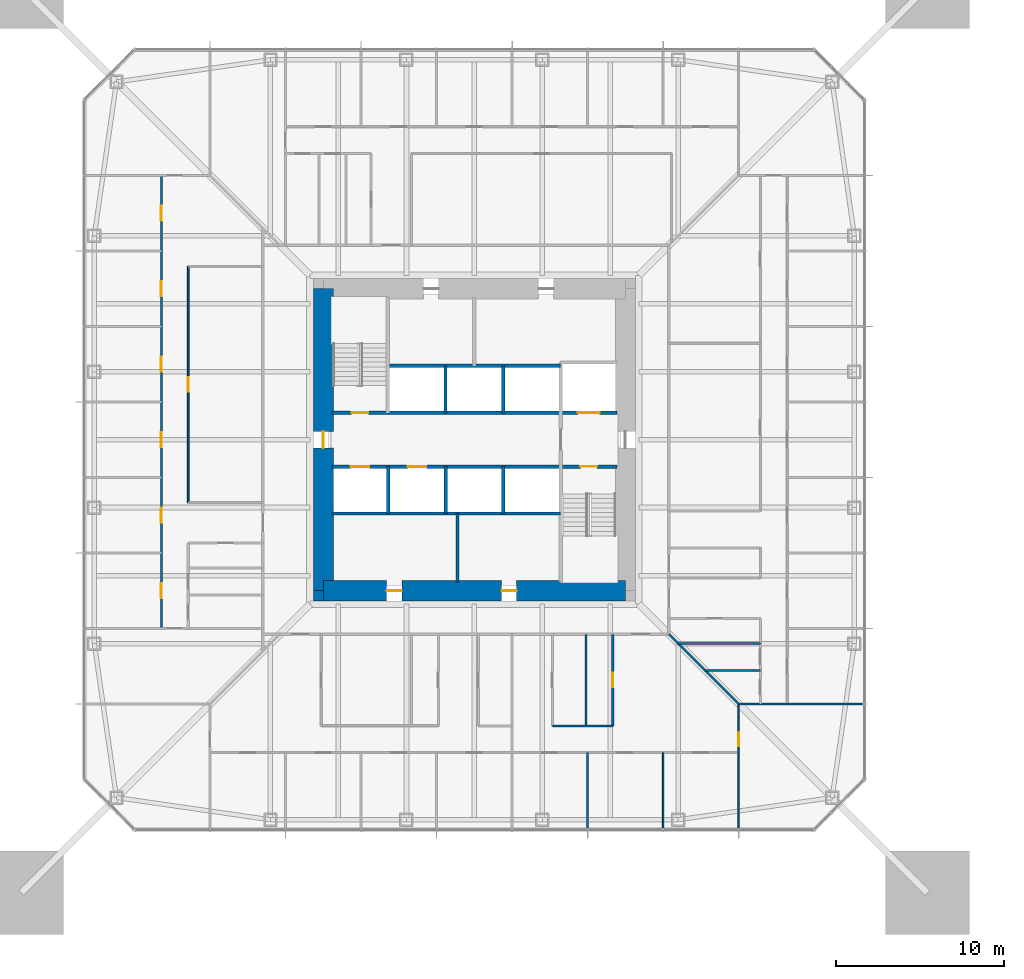
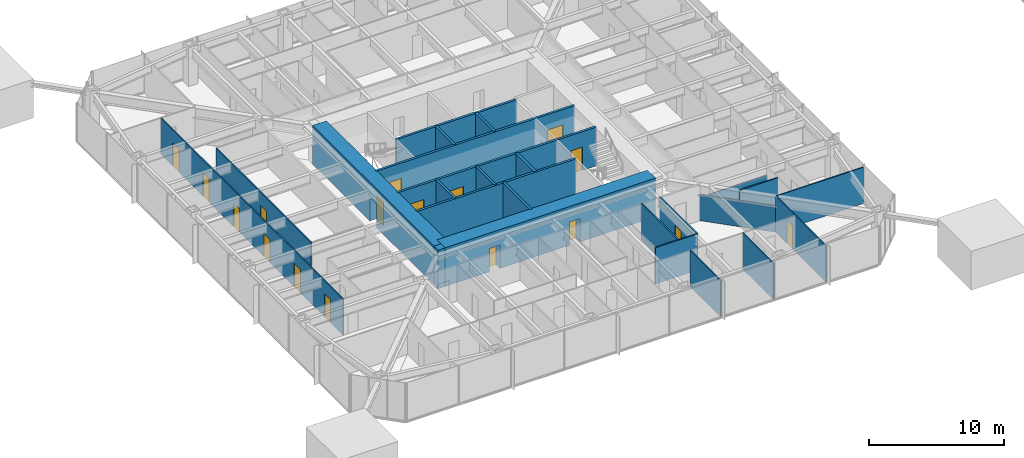
# One storey, part 15 of 26: 25 walls, 17 doors, 17 openings.
"""IFC4 building model written with IfcOpenShell, lengths in metres."""

from ifc_helpers import new_model, si_unit, direction, frame, frame_2d, origin, place, context, subcontext, project, spatial, rectangle, extrude, material, layer, layer_set, type_object, element, fill, save


model = new_model("IFC4")

# Units and contexts
model_context = context("Model", 3, precision=1e-05, world=origin(), true_north=direction((0.0, 1.0)))
body_context = subcontext(model_context, "Body", "Model", "MODEL_VIEW")
ifc_project = project(units=[si_unit("LENGTHUNIT", "METRE"), si_unit("AREAUNIT", "SQUARE_METRE"), si_unit("VOLUMEUNIT", "CUBIC_METRE"), si_unit("PLANEANGLEUNIT", "RADIAN"), si_unit("MASSUNIT", "GRAM", prefix="KILO")], contexts=[model_context])

# Site, building, storey
site_placement = place(None, origin())
site = spatial("IfcSite", under=ifc_project, at=site_placement, CompositionType="ELEMENT")
building_placement = place(site_placement, origin())
building = spatial("IfcBuilding", under=site, at=building_placement, Name="Iwan Alto Co-Living Towers", CompositionType="ELEMENT")
storey_placement = place(building_placement, frame((0.0, 0.0, 50.0)))
storey = spatial("IfcBuildingStorey", under=building, at=storey_placement, Name="L13", CompositionType="ELEMENT", Elevation=50.0)

# Wall
ifc_material_1 = material(Name="Gypsum board")
ifc_layer_1 = layer(ifc_material_1, 0.012451171875, Name="Board", Category="Finish")
ifc_material_2 = material(Name="Steel ASTM A1003 ST33H cold-formed studs", Category="steel")
ifc_layer_2 = layer(ifc_material_2, 0.074951171875, Name="Studs", Category="Framing")
ifc_layer_3 = layer(ifc_material_1, 0.012451171875, Name="Board", Category="Finish")
ifc_layer_set_1 = layer_set([ifc_layer_1, ifc_layer_2, ifc_layer_3], Name="PARTITION 100")
wall_type_1 = type_object("IfcWallType", Name="PARTITION 100", PredefinedType="PARTITIONING", material=ifc_layer_set_1)
wall_1_placement = place(storey_placement, frame((15.75, -15.75, 0.0), z_axis=(0.0, 0.0, 1.0), x_axis=(1.0, 0.0, 0.0)))
element("IfcWall", 1, at=wall_1_placement, inside=storey, type_object=wall_type_1, Name="Partition L13", PredefinedType="PARTITIONING", context=body_context, shape_type="SweptSolid", body=[
    extrude(rectangle(XDim=7.43994140625, YDim=0.10009765625, at=frame_2d((3.719970703125, 0.0))), origin(), (0.0, 0.0, 1.0), 3.27001953125),
])

# Wall, opening, door
wall_2_placement = place(storey_placement, frame((15.75, -23.18994140625, 0.0), z_axis=(0.0, 0.0, 1.0), x_axis=(0.0, 1.0, 0.0)))
wall_2 = element("IfcWall", 2, at=wall_2_placement, inside=storey, type_object=wall_type_1, Name="Partition L13", PredefinedType="PARTITIONING", context=body_context, shape_type="SweptSolid", body=[
    extrude(rectangle(XDim=7.43994140625, YDim=0.10009765625, at=frame_2d((3.719970703125, 0.0))), origin(), (0.0, 0.0, 1.0), 3.27001953125),
])
opening_1_placement = place(wall_2_placement, frame((4.9150390625, 0.0, 0.0)))
opening_1 = element("IfcOpeningElement", 3, at=opening_1_placement, cuts=wall_2, Name="Opening D2", PredefinedType="OPENING", context=body_context, shape_type="SweptSolid", body=[
    extrude(rectangle(XDim=0.85009765625, YDim=2.10009765625, at=frame_2d((0.425048828125, 1.050048828125))), frame((0.0, 0.06005859375, 0.0), z_axis=(0.0, -1.0, 0.0), x_axis=(1.0, 0.0, 0.0)), (0.0, 0.0, 1.0), 0.1201171875),
])
ifc_material_3 = material(Name="Timber leaf in steel frame", Category="steel")
door_type_1 = type_object("IfcDoorType", Name="ROOM DOOR 850X2100", OperationType="SINGLE_SWING_LEFT", PredefinedType="DOOR", material=ifc_material_3)
door_1_placement = place(opening_1_placement, origin())
door_1 = element("IfcDoor", 4, at=door_1_placement, inside=storey, type_object=door_type_1, Name="Shared kitchen and dining room door L13", OperationType="SINGLE_SWING_LEFT", OverallHeight=2.10009765625, OverallWidth=0.85009765625, PredefinedType="DOOR", context=body_context, shape_type="SweptSolid", body=[
    extrude(rectangle(XDim=0.85009765625, YDim=2.10009765625, at=frame_2d((0.425048828125, 1.050048828125))), frame((0.0, 0.02490234375, 0.0), z_axis=(0.0, -1.0, 0.0), x_axis=(1.0, 0.0, 0.0)), (0.0, 0.0, 1.0), 0.050048828125),
])
fill(opening_1, door_1)

# Walls
for number, where, z_axis, x_axis, name in (
    (5, (11.25, -23.18994140625, 0.0), (0.0, 0.0, 1.0), (0.0, 1.0, 0.0), "Partition L13"),
    (6, (6.75, -23.18994140625, 0.0), (0.0, 0.0, 1.0), (0.0, 1.0, 0.0), "Partition L13"),
):
    element("IfcWall", number, at=place(storey_placement, frame(where, z_axis=z_axis, x_axis=x_axis)), inside=storey, type_object=wall_type_1, Name=name, PredefinedType="PARTITIONING", context=body_context, shape_type="SweptSolid", body=[
        extrude(rectangle(XDim=4.5400390625, YDim=0.10009765625, at=frame_2d((2.27001953125, 0.0))), origin(), (0.0, 0.0, 1.0), 3.27001953125),
    ])

# Wall, opening, door
wall_3_placement = place(storey_placement, frame((-17.050048828125, -3.75, 0.0), z_axis=(0.0, 0.0, 1.0), x_axis=(0.0, 1.0, 0.0)))
wall_3 = element("IfcWall", 7, at=wall_3_placement, inside=storey, type_object=wall_type_1, Name="Partition L13", PredefinedType="PARTITIONING", context=body_context, shape_type="SweptSolid", body=[
    extrude(rectangle(XDim=14.080078125, YDim=0.10009765625, at=frame_2d((7.0400390625, 0.0))), origin(), (0.0, 0.0, 1.0), 3.27001953125),
])
opening_2_placement = place(wall_3_placement, frame((6.614990234375, 0.0, 0.0)))
opening_2 = element("IfcOpeningElement", 8, at=opening_2_placement, cuts=wall_3, Name="Opening D2", PredefinedType="OPENING", context=body_context, shape_type="SweptSolid", body=[
    extrude(rectangle(XDim=0.85009765625, YDim=2.10009765625, at=frame_2d((0.425048828125, 1.050048828125))), frame((0.0, 0.06005859375, 0.0), z_axis=(0.0, -1.0, 0.0), x_axis=(1.0, 0.0, 0.0)), (0.0, 0.0, 1.0), 0.1201171875),
])
door_2_placement = place(opening_2_placement, origin())
door_2 = element("IfcDoor", 9, at=door_2_placement, inside=storey, type_object=door_type_1, Name="Study lounge door L13", OperationType="SINGLE_SWING_RIGHT", OverallHeight=2.10009765625, OverallWidth=0.85009765625, PredefinedType="DOOR", context=body_context, shape_type="SweptSolid", body=[
    extrude(rectangle(XDim=0.85009765625, YDim=2.10009765625, at=frame_2d((0.425048828125, 1.050048828125))), frame((0.0, 0.02490234375, 0.0), z_axis=(0.0, -1.0, 0.0), x_axis=(1.0, 0.0, 0.0)), (0.0, 0.0, 1.0), 0.050048828125),
])
fill(opening_2, door_2)

# Wall, openings, doors
wall_4_placement = place(storey_placement, frame((-18.64990234375, -11.25, 0.0), z_axis=(0.0, 0.0, 1.0), x_axis=(0.0, 1.0, 0.0)))
wall_4 = element("IfcWall", 10, at=wall_4_placement, inside=storey, type_object=wall_type_1, Name="Partition L13", PredefinedType="PARTITIONING", context=body_context, shape_type="SweptSolid", body=[
    extrude(rectangle(XDim=27.0, YDim=0.10009765625, at=frame_2d((13.5, 0.0))), origin(), (0.0, 0.0, 1.0), 3.27001953125),
])
opening_3_placement = place(wall_4_placement, frame((24.300048828125, 0.0, 0.0)))
opening_3 = element("IfcOpeningElement", 11, at=opening_3_placement, cuts=wall_4, Name="Opening D1", PredefinedType="OPENING", context=body_context, shape_type="SweptSolid", body=[
    extrude(rectangle(XDim=0.89990234375, YDim=2.10009765625, at=frame_2d((0.449951171875, 1.050048828125))), frame((0.0, 0.06005859375, 0.0), z_axis=(0.0, -1.0, 0.0), x_axis=(1.0, 0.0, 0.0)), (0.0, 0.0, 1.0), 0.1201171875),
])
opening_4_placement = place(wall_4_placement, frame((19.800048828125, 0.0, 0.0)))
opening_4 = element("IfcOpeningElement", 12, at=opening_4_placement, cuts=wall_4, Name="Opening D1", PredefinedType="OPENING", context=body_context, shape_type="SweptSolid", body=[
    extrude(rectangle(XDim=0.89990234375, YDim=2.10009765625, at=frame_2d((0.449951171875, 1.050048828125))), frame((0.0, 0.06005859375, 0.0), z_axis=(0.0, -1.0, 0.0), x_axis=(1.0, 0.0, 0.0)), (0.0, 0.0, 1.0), 0.1201171875),
])
opening_5_placement = place(wall_4_placement, frame((15.300048828125, 0.0, 0.0)))
opening_5 = element("IfcOpeningElement", 13, at=opening_5_placement, cuts=wall_4, Name="Opening D1", PredefinedType="OPENING", context=body_context, shape_type="SweptSolid", body=[
    extrude(rectangle(XDim=0.89990234375, YDim=2.10009765625, at=frame_2d((0.449951171875, 1.050048828125))), frame((0.0, 0.06005859375, 0.0), z_axis=(0.0, -1.0, 0.0), x_axis=(1.0, 0.0, 0.0)), (0.0, 0.0, 1.0), 0.1201171875),
])
opening_6_placement = place(wall_4_placement, frame((10.800048828125, 0.0, 0.0)))
opening_6 = element("IfcOpeningElement", 14, at=opening_6_placement, cuts=wall_4, Name="Opening D1", PredefinedType="OPENING", context=body_context, shape_type="SweptSolid", body=[
    extrude(rectangle(XDim=0.89990234375, YDim=2.10009765625, at=frame_2d((0.449951171875, 1.050048828125))), frame((0.0, 0.06005859375, 0.0), z_axis=(0.0, -1.0, 0.0), x_axis=(1.0, 0.0, 0.0)), (0.0, 0.0, 1.0), 0.1201171875),
])
opening_7_placement = place(wall_4_placement, frame((6.300048828125, 0.0, 0.0)))
opening_7 = element("IfcOpeningElement", 15, at=opening_7_placement, cuts=wall_4, Name="Opening D1", PredefinedType="OPENING", context=body_context, shape_type="SweptSolid", body=[
    extrude(rectangle(XDim=0.89990234375, YDim=2.10009765625, at=frame_2d((0.449951171875, 1.050048828125))), frame((0.0, 0.06005859375, 0.0), z_axis=(0.0, -1.0, 0.0), x_axis=(1.0, 0.0, 0.0)), (0.0, 0.0, 1.0), 0.1201171875),
])
opening_8_placement = place(wall_4_placement, frame((1.800048828125, 0.0, 0.0)))
opening_8 = element("IfcOpeningElement", 16, at=opening_8_placement, cuts=wall_4, Name="Opening D1", PredefinedType="OPENING", context=body_context, shape_type="SweptSolid", body=[
    extrude(rectangle(XDim=0.89990234375, YDim=2.10009765625, at=frame_2d((0.449951171875, 1.050048828125))), frame((0.0, 0.06005859375, 0.0), z_axis=(0.0, -1.0, 0.0), x_axis=(1.0, 0.0, 0.0)), (0.0, 0.0, 1.0), 0.1201171875),
])
ifc_material_4 = material(Name="Timber leaf in steel frame", Category="steel")
door_type_2 = type_object("IfcDoorType", Name="BEDROOM DOOR 900X2100", OperationType="SINGLE_SWING_LEFT", PredefinedType="DOOR", material=ifc_material_4)
door_3_placement = place(opening_3_placement, frame((0.89990234375, 0.0, 0.0), z_axis=(0.0, 0.0, 1.0), x_axis=(-1.0, 0.0, 0.0)))
door_3 = element("IfcDoor", 17, at=door_3_placement, inside=storey, type_object=door_type_2, Name="Study bedroom door L13", OperationType="SINGLE_SWING_LEFT", OverallHeight=2.10009765625, OverallWidth=0.89990234375, PredefinedType="DOOR", context=body_context, shape_type="SweptSolid", body=[
    extrude(rectangle(XDim=0.89990234375, YDim=2.10009765625, at=frame_2d((0.449951171875, 1.050048828125))), frame((0.0, 0.02490234375, 0.0), z_axis=(0.0, -1.0, 0.0), x_axis=(1.0, 0.0, 0.0)), (0.0, 0.0, 1.0), 0.050048828125),
])
fill(opening_3, door_3)
door_4_placement = place(opening_4_placement, frame((0.89990234375, 0.0, 0.0), z_axis=(0.0, 0.0, 1.0), x_axis=(-1.0, 0.0, 0.0)))
door_4 = element("IfcDoor", 18, at=door_4_placement, inside=storey, type_object=door_type_2, Name="Study bedroom door L13", OperationType="SINGLE_SWING_LEFT", OverallHeight=2.10009765625, OverallWidth=0.89990234375, PredefinedType="DOOR", context=body_context, shape_type="SweptSolid", body=[
    extrude(rectangle(XDim=0.89990234375, YDim=2.10009765625, at=frame_2d((0.449951171875, 1.050048828125))), frame((0.0, 0.02490234375, 0.0), z_axis=(0.0, -1.0, 0.0), x_axis=(1.0, 0.0, 0.0)), (0.0, 0.0, 1.0), 0.050048828125),
])
fill(opening_4, door_4)
door_5_placement = place(opening_5_placement, frame((0.89990234375, 0.0, 0.0), z_axis=(0.0, 0.0, 1.0), x_axis=(-1.0, 0.0, 0.0)))
door_5 = element("IfcDoor", 19, at=door_5_placement, inside=storey, type_object=door_type_2, Name="Study bedroom door L13", OperationType="SINGLE_SWING_LEFT", OverallHeight=2.10009765625, OverallWidth=0.89990234375, PredefinedType="DOOR", context=body_context, shape_type="SweptSolid", body=[
    extrude(rectangle(XDim=0.89990234375, YDim=2.10009765625, at=frame_2d((0.449951171875, 1.050048828125))), frame((0.0, 0.02490234375, 0.0), z_axis=(0.0, -1.0, 0.0), x_axis=(1.0, 0.0, 0.0)), (0.0, 0.0, 1.0), 0.050048828125),
])
fill(opening_5, door_5)
door_6_placement = place(opening_6_placement, frame((0.89990234375, 0.0, 0.0), z_axis=(0.0, 0.0, 1.0), x_axis=(-1.0, 0.0, 0.0)))
door_6 = element("IfcDoor", 20, at=door_6_placement, inside=storey, type_object=door_type_2, Name="Study bedroom door L13", OperationType="SINGLE_SWING_RIGHT", OverallHeight=2.10009765625, OverallWidth=0.89990234375, PredefinedType="DOOR", context=body_context, shape_type="SweptSolid", body=[
    extrude(rectangle(XDim=0.89990234375, YDim=2.10009765625, at=frame_2d((0.449951171875, 1.050048828125))), frame((0.0, 0.02490234375, 0.0), z_axis=(0.0, -1.0, 0.0), x_axis=(1.0, 0.0, 0.0)), (0.0, 0.0, 1.0), 0.050048828125),
])
fill(opening_6, door_6)
door_7_placement = place(opening_7_placement, frame((0.89990234375, 0.0, 0.0), z_axis=(0.0, 0.0, 1.0), x_axis=(-1.0, 0.0, 0.0)))
door_7 = element("IfcDoor", 21, at=door_7_placement, inside=storey, type_object=door_type_2, Name="Study bedroom door L13", OperationType="SINGLE_SWING_RIGHT", OverallHeight=2.10009765625, OverallWidth=0.89990234375, PredefinedType="DOOR", context=body_context, shape_type="SweptSolid", body=[
    extrude(rectangle(XDim=0.89990234375, YDim=2.10009765625, at=frame_2d((0.449951171875, 1.050048828125))), frame((0.0, 0.02490234375, 0.0), z_axis=(0.0, -1.0, 0.0), x_axis=(1.0, 0.0, 0.0)), (0.0, 0.0, 1.0), 0.050048828125),
])
fill(opening_7, door_7)
door_8_placement = place(opening_8_placement, frame((0.89990234375, 0.0, 0.0), z_axis=(0.0, 0.0, 1.0), x_axis=(-1.0, 0.0, 0.0)))
door_8 = element("IfcDoor", 22, at=door_8_placement, inside=storey, type_object=door_type_2, Name="Study bedroom door L13", OperationType="SINGLE_SWING_RIGHT", OverallHeight=2.10009765625, OverallWidth=0.89990234375, PredefinedType="DOOR", context=body_context, shape_type="SweptSolid", body=[
    extrude(rectangle(XDim=0.89990234375, YDim=2.10009765625, at=frame_2d((0.449951171875, 1.050048828125))), frame((0.0, 0.02490234375, 0.0), z_axis=(0.0, -1.0, 0.0), x_axis=(1.0, 0.0, 0.0)), (0.0, 0.0, 1.0), 0.050048828125),
])
fill(opening_8, door_8)

# Wall
ifc_material_5 = material(Name="Concrete f'c 70 MPa", Category="concrete")
ifc_layer_4 = layer(ifc_material_5, 0.199951171875)
ifc_layer_set_2 = layer_set([ifc_layer_4], Name="SHAFT WALL 200")
wall_type_2 = type_object("IfcWallType", Name="SHAFT WALL 200", PredefinedType="SOLIDWALL", material=ifc_layer_set_2)
wall_5_placement = place(storey_placement, frame((-8.489990234375, -4.39990234375, 0.0), z_axis=(0.0, 0.0, 1.0), x_axis=(1.0, 0.0, 0.0)))
element("IfcWall", 23, at=wall_5_placement, inside=storey, type_object=wall_type_2, Name="Shaft wall L13", PredefinedType="SOLIDWALL", context=body_context, shape_type="SweptSolid", body=[
    extrude(rectangle(XDim=13.639892578125, YDim=0.199951171875, at=frame_2d((6.81982421875, 0.0))), origin(), (0.0, 0.0, 1.0), 3.5),
])

# Wall, openings, doors
wall_6_placement = place(storey_placement, frame((-8.489990234375, -1.60009765625, 0.0), z_axis=(0.0, 0.0, 1.0), x_axis=(1.0, 0.0, 0.0)))
wall_6 = element("IfcWall", 24, at=wall_6_placement, inside=storey, type_object=wall_type_2, Name="Shaft wall L13", PredefinedType="SOLIDWALL", context=body_context, shape_type="SweptSolid", body=[
    extrude(rectangle(XDim=16.97998046875, YDim=0.199951171875, at=frame_2d((8.489990234375, 0.0))), origin(), (0.0, 0.0, 1.0), 3.5),
])
opening_9_placement = place(wall_6_placement, frame((14.81005859375, 0.0, 0.0)))
opening_9 = element("IfcOpeningElement", 25, at=opening_9_placement, cuts=wall_6, Name="Opening D5", PredefinedType="OPENING", context=body_context, shape_type="SweptSolid", body=[
    extrude(rectangle(XDim=1.0, YDim=2.10009765625, at=frame_2d((0.5, 1.050048828125))), frame((0.0, 0.10986328125, 0.0), z_axis=(0.0, -1.0, 0.0), x_axis=(1.0, 0.0, 0.0)), (0.0, 0.0, 1.0), 0.219970703125),
])
opening_10_placement = place(wall_6_placement, frame((1.133056640625, 0.0, 0.0)))
opening_10 = element("IfcOpeningElement", 26, at=opening_10_placement, cuts=wall_6, Name="Opening LD", PredefinedType="OPENING", context=body_context, shape_type="SweptSolid", body=[
    extrude(rectangle(XDim=1.10009765625, YDim=2.10009765625, at=frame_2d((0.550048828125, 1.050048828125))), frame((0.0, 0.10986328125, 0.0), z_axis=(0.0, -1.0, 0.0), x_axis=(1.0, 0.0, 0.0)), (0.0, 0.0, 1.0), 0.219970703125),
])
opening_11_placement = place(wall_6_placement, frame((4.528076171875, 0.0, 0.0)))
opening_11 = element("IfcOpeningElement", 27, at=opening_11_placement, cuts=wall_6, Name="Opening LD", PredefinedType="OPENING", context=body_context, shape_type="SweptSolid", body=[
    extrude(rectangle(XDim=1.10009765625, YDim=2.10009765625, at=frame_2d((0.550048828125, 1.050048828125))), frame((0.0, 0.10986328125, 0.0), z_axis=(0.0, -1.0, 0.0), x_axis=(1.0, 0.0, 0.0)), (0.0, 0.0, 1.0), 0.219970703125),
])
ifc_material_6 = material(Name="Steel frame with timber leaf", Category="steel")
door_type_3 = type_object("IfcDoorType", Name="LIFT LANDING DOOR 1100X2100", OperationType="DOUBLE_DOOR_SLIDING", PredefinedType="DOOR", material=ifc_material_6)
door_9_placement = place(opening_10_placement, origin())
door_9 = element("IfcDoor", 28, at=door_9_placement, inside=storey, type_object=door_type_3, Name="Lift P1-1 landing door L13", OperationType="DOUBLE_DOOR_SLIDING", OverallHeight=2.10009765625, OverallWidth=1.10009765625, PredefinedType="DOOR", context=body_context, shape_type="SweptSolid", body=[
    extrude(rectangle(XDim=1.10009765625, YDim=2.10009765625, at=frame_2d((0.550048828125, 1.050048828125))), frame((0.0, 0.02490234375, 0.0), z_axis=(0.0, -1.0, 0.0), x_axis=(1.0, 0.0, 0.0)), (0.0, 0.0, 1.0), 0.050048828125),
])
fill(opening_10, door_9)
door_10_placement = place(opening_11_placement, origin())
door_10 = element("IfcDoor", 29, at=door_10_placement, inside=storey, type_object=door_type_3, Name="Lift P1-2 landing door L13", OperationType="DOUBLE_DOOR_SLIDING", OverallHeight=2.10009765625, OverallWidth=1.10009765625, PredefinedType="DOOR", context=body_context, shape_type="SweptSolid", body=[
    extrude(rectangle(XDim=1.10009765625, YDim=2.10009765625, at=frame_2d((0.550048828125, 1.050048828125))), frame((0.0, 0.02490234375, 0.0), z_axis=(0.0, -1.0, 0.0), x_axis=(1.0, 0.0, 0.0)), (0.0, 0.0, 1.0), 0.050048828125),
])
fill(opening_11, door_10)
ifc_material_7 = material(Name="Steel frame with timber leaf", Category="steel")
door_type_4 = type_object("IfcDoorType", Name="STAIR DOOR FD120S 1000X2100", OperationType="SINGLE_SWING_LEFT", PredefinedType="DOOR", material=ifc_material_7)
door_11_placement = place(opening_9_placement, frame((1.0, 0.0, 0.0), z_axis=(0.0, 0.0, 1.0), x_axis=(-1.0, 0.0, 0.0)))
door_11 = element("IfcDoor", 30, at=door_11_placement, inside=storey, type_object=door_type_4, Name="Stair S2 door L13", OperationType="SINGLE_SWING_RIGHT", OverallHeight=2.10009765625, OverallWidth=1.0, PredefinedType="DOOR", context=body_context, shape_type="SweptSolid", body=[
    extrude(rectangle(XDim=1.0, YDim=2.10009765625, at=frame_2d((0.5, 1.050048828125))), frame((0.0, 0.02490234375, 0.0), z_axis=(0.0, -1.0, 0.0), x_axis=(1.0, 0.0, 0.0)), (0.0, 0.0, 1.0), 0.050048828125),
])
fill(opening_9, door_11)

wall_7_placement = place(storey_placement, frame((-8.489990234375, 1.60009765625, 0.0), z_axis=(0.0, 0.0, 1.0), x_axis=(1.0, 0.0, 0.0)))
wall_7 = element("IfcWall", 31, at=wall_7_placement, inside=storey, type_object=wall_type_2, Name="Shaft wall L13", PredefinedType="SOLIDWALL", context=body_context, shape_type="SweptSolid", body=[
    extrude(rectangle(XDim=16.97998046875, YDim=0.199951171875, at=frame_2d((8.489990234375, 0.0))), origin(), (0.0, 0.0, 1.0), 3.5),
])
opening_12_placement = place(wall_7_placement, frame((1.169921875, 0.0, 0.0)))
opening_12 = element("IfcOpeningElement", 32, at=opening_12_placement, cuts=wall_7, Name="Opening D5", PredefinedType="OPENING", context=body_context, shape_type="SweptSolid", body=[
    extrude(rectangle(XDim=1.0, YDim=2.10009765625, at=frame_2d((0.5, 1.050048828125))), frame((0.0, 0.10986328125, 0.0), z_axis=(0.0, -1.0, 0.0), x_axis=(1.0, 0.0, 0.0)), (0.0, 0.0, 1.0), 0.219970703125),
])
opening_13_placement = place(wall_7_placement, frame((14.659912109375, 0.0, 0.0)))
opening_13 = element("IfcOpeningElement", 33, at=opening_13_placement, cuts=wall_7, Name="Opening LD2", PredefinedType="OPENING", context=body_context, shape_type="SweptSolid", body=[
    extrude(rectangle(XDim=1.300048828125, YDim=2.10009765625, at=frame_2d((0.64990234375, 1.050048828125))), frame((0.0, 0.10986328125, 0.0), z_axis=(0.0, -1.0, 0.0), x_axis=(1.0, 0.0, 0.0)), (0.0, 0.0, 1.0), 0.219970703125),
])
ifc_material_8 = material(Name="Steel frame with timber leaf", Category="steel")
door_type_5 = type_object("IfcDoorType", Name="LIFT LANDING DOOR 1300X2100", OperationType="SLIDING_TO_LEFT", PredefinedType="DOOR", material=ifc_material_8)
door_12_placement = place(opening_13_placement, origin())
door_12 = element("IfcDoor", 34, at=door_12_placement, inside=storey, type_object=door_type_5, Name="Lift FL1 landing door L13", OperationType="SLIDING_TO_LEFT", OverallHeight=2.10009765625, OverallWidth=1.300048828125, PredefinedType="DOOR", context=body_context, shape_type="SweptSolid", body=[
    extrude(rectangle(XDim=1.300048828125, YDim=2.10009765625, at=frame_2d((0.64990234375, 1.050048828125))), frame((0.0, 0.02490234375, 0.0), z_axis=(0.0, -1.0, 0.0), x_axis=(1.0, 0.0, 0.0)), (0.0, 0.0, 1.0), 0.050048828125),
])
fill(opening_13, door_12)
door_13_placement = place(opening_12_placement, origin())
door_13 = element("IfcDoor", 35, at=door_13_placement, inside=storey, type_object=door_type_4, Name="Stair S1 door L13", OperationType="SINGLE_SWING_RIGHT", OverallHeight=2.10009765625, OverallWidth=1.0, PredefinedType="DOOR", context=body_context, shape_type="SweptSolid", body=[
    extrude(rectangle(XDim=1.0, YDim=2.10009765625, at=frame_2d((0.5, 1.050048828125))), frame((0.0, 0.02490234375, 0.0), z_axis=(0.0, -1.0, 0.0), x_axis=(1.0, 0.0, 0.0)), (0.0, 0.0, 1.0), 0.050048828125),
])
fill(opening_12, door_13)

# Walls
wall_8_placement = place(storey_placement, frame((-5.14990234375, 4.39990234375, 0.0), z_axis=(0.0, 0.0, 1.0), x_axis=(1.0, 0.0, 0.0)))
element("IfcWall", 36, at=wall_8_placement, inside=storey, type_object=wall_type_2, Name="Shaft wall L13", PredefinedType="SOLIDWALL", context=body_context, shape_type="SweptSolid", body=[
    extrude(rectangle(XDim=10.2998046875, YDim=0.199951171875, at=frame_2d((5.14990234375, 0.0))), origin(), (0.0, 0.0, 1.0), 3.5),
])
for number, where, z_axis, x_axis, name in (
    (37, (1.72509765625, -4.39990234375, 0.0), (0.0, 0.0, 1.0), (0.0, 1.0, 0.0), "Shaft wall L13"),
    (38, (1.717041015625, 1.60009765625, 0.0), (0.0, 0.0, 1.0), (0.0, 1.0, 0.0), "Shaft wall L13"),
):
    element("IfcWall", number, at=place(storey_placement, frame(where, z_axis=z_axis, x_axis=x_axis)), inside=storey, type_object=wall_type_2, Name=name, PredefinedType="SOLIDWALL", context=body_context, shape_type="SweptSolid", body=[
        extrude(rectangle(XDim=2.7998046875, YDim=0.199951171875, at=frame_2d((1.39990234375, 0.0))), origin(), (0.0, 0.0, 1.0), 3.5),
    ])
wall_9_placement = place(storey_placement, frame((-1.0, -8.489990234375, 0.0), z_axis=(0.0, 0.0, 1.0), x_axis=(0.0, 1.0, 0.0)))
element("IfcWall", 39, at=wall_9_placement, inside=storey, type_object=wall_type_2, Name="Shaft wall L13", PredefinedType="SOLIDWALL", context=body_context, shape_type="SweptSolid", body=[
    extrude(rectangle(XDim=4.090087890625, YDim=0.199951171875, at=frame_2d((2.044921875, 0.0))), origin(), (0.0, 0.0, 1.0), 3.5),
])
for number, where, z_axis, x_axis, name in (
    (40, (-1.699951171875, -4.39990234375, 0.0), (0.0, 0.0, 1.0), (0.0, 1.0, 0.0), "Shaft wall L13"),
    (41, (-1.717041015625, 1.60009765625, 0.0), (0.0, 0.0, 1.0), (0.0, 1.0, 0.0), "Shaft wall L13"),
    (42, (-5.125, -4.39990234375, 0.0), (0.0, 0.0, 1.0), (0.0, 1.0, 0.0), "Shaft wall L13"),
):
    element("IfcWall", number, at=place(storey_placement, frame(where, z_axis=z_axis, x_axis=x_axis)), inside=storey, type_object=wall_type_2, Name=name, PredefinedType="SOLIDWALL", context=body_context, shape_type="SweptSolid", body=[
        extrude(rectangle(XDim=2.7998046875, YDim=0.199951171875, at=frame_2d((1.39990234375, 0.0))), origin(), (0.0, 0.0, 1.0), 3.5),
    ])
ifc_material_9 = material(Name="Concrete f'c 70 MPa", Category="concrete")
ifc_layer_5 = layer(ifc_material_9, 0.60009765625)
ifc_layer_set_3 = layer_set([ifc_layer_5], Name="T1 CORE CORNER FILL 600")
wall_type_3 = type_object("IfcWallType", Name="T1 CORE CORNER FILL 600", PredefinedType="SOLIDWALL", material=ifc_layer_set_3)
wall_10_placement = place(storey_placement, frame((-9.60009765625, -9.300048828125, 0.0), z_axis=(0.0, 0.0, 1.0), x_axis=(1.0, 0.0, 0.0)))
element("IfcWall", 43, at=wall_10_placement, inside=storey, type_object=wall_type_3, Name="T1 core corner SW L13", PredefinedType="SOLIDWALL", context=body_context, shape_type="SweptSolid", body=[
    extrude(rectangle(XDim=0.60009765625, YDim=0.60009765625, at=frame_2d((0.300048828125, 0.0))), origin(), (0.0, 0.0, 1.0), 3.5),
])

# Wall, openings, doors
ifc_material_10 = material(Name="Concrete f'c 70 MPa", Category="concrete")
ifc_layer_6 = layer(ifc_material_10, 1.199951171875)
ifc_layer_set_4 = layer_set([ifc_layer_6], Name="T1 CORE WALL 1200")
wall_type_4 = type_object("IfcWallType", Name="T1 CORE WALL 1200", PredefinedType="SHEAR", material=ifc_layer_set_4)
wall_11_placement = place(storey_placement, frame((-9.0, -9.0, 0.0), z_axis=(0.0, 0.0, 1.0), x_axis=(1.0, 0.0, 0.0)))
wall_11 = element("IfcWall", 44, at=wall_11_placement, inside=storey, type_object=wall_type_4, Name="T1 core wall S L13", PredefinedType="SHEAR", context=body_context, shape_type="SweptSolid", body=[
    extrude(rectangle(XDim=18.0, YDim=1.199951171875, at=frame_2d((9.0, 0.0))), origin(), (0.0, 0.0, 1.0), 3.5),
])
opening_14_placement = place(wall_11_placement, frame((3.77490234375, 0.0, 0.0)))
opening_14 = element("IfcOpeningElement", 45, at=opening_14_placement, cuts=wall_11, Name="Opening D8", PredefinedType="OPENING", context=body_context, shape_type="SweptSolid", body=[
    extrude(rectangle(XDim=0.89990234375, YDim=2.10009765625, at=frame_2d((0.449951171875, 1.050048828125))), frame((0.0, 0.60986328125, 0.0), z_axis=(0.0, -1.0, 0.0), x_axis=(1.0, 0.0, 0.0)), (0.0, 0.0, 1.0), 1.219970703125),
])
opening_15_placement = place(wall_11_placement, frame((10.625, 0.0, 0.0)))
opening_15 = element("IfcOpeningElement", 46, at=opening_15_placement, cuts=wall_11, Name="Opening D8", PredefinedType="OPENING", context=body_context, shape_type="SweptSolid", body=[
    extrude(rectangle(XDim=0.89990234375, YDim=2.10009765625, at=frame_2d((0.449951171875, 1.050048828125))), frame((0.0, 0.60986328125, 0.0), z_axis=(0.0, -1.0, 0.0), x_axis=(1.0, 0.0, 0.0)), (0.0, 0.0, 1.0), 1.219970703125),
])
ifc_material_11 = material(Name="Steel frame with timber leaf", Category="steel")
door_type_6 = type_object("IfcDoorType", Name="RISER DOOR FD120 900X2100", OperationType="SINGLE_SWING_LEFT", PredefinedType="DOOR", material=ifc_material_11)
door_14_placement = place(opening_14_placement, origin())
door_14 = element("IfcDoor", 47, at=door_14_placement, inside=storey, type_object=door_type_6, Name="Refuse room core door L13", OperationType="SINGLE_SWING_LEFT", OverallHeight=2.10009765625, OverallWidth=0.89990234375, PredefinedType="DOOR", context=body_context, shape_type="SweptSolid", body=[
    extrude(rectangle(XDim=0.89990234375, YDim=2.10009765625, at=frame_2d((0.449951171875, 1.050048828125))), frame((0.0, 0.02490234375, 0.0), z_axis=(0.0, -1.0, 0.0), x_axis=(1.0, 0.0, 0.0)), (0.0, 0.0, 1.0), 0.050048828125),
])
fill(opening_14, door_14)
door_15_placement = place(opening_15_placement, origin())
door_15 = element("IfcDoor", 48, at=door_15_placement, inside=storey, type_object=door_type_6, Name="Telecom riser core door L13", OperationType="SINGLE_SWING_LEFT", OverallHeight=2.10009765625, OverallWidth=0.89990234375, PredefinedType="DOOR", context=body_context, shape_type="SweptSolid", body=[
    extrude(rectangle(XDim=0.89990234375, YDim=2.10009765625, at=frame_2d((0.449951171875, 1.050048828125))), frame((0.0, 0.02490234375, 0.0), z_axis=(0.0, -1.0, 0.0), x_axis=(1.0, 0.0, 0.0)), (0.0, 0.0, 1.0), 0.050048828125),
])
fill(opening_15, door_15)

# Wall, opening, door
wall_12_placement = place(storey_placement, frame((-9.0, 9.0, 0.0), z_axis=(0.0, 0.0, 1.0), x_axis=(0.0, -1.0, 0.0)))
wall_12 = element("IfcWall", 49, at=wall_12_placement, inside=storey, type_object=wall_type_4, Name="T1 core wall W L13", PredefinedType="SHEAR", context=body_context, shape_type="SweptSolid", body=[
    extrude(rectangle(XDim=18.0, YDim=1.199951171875, at=frame_2d((9.0, 0.0))), origin(), (0.0, 0.0, 1.0), 3.5),
])
opening_16_placement = place(wall_12_placement, frame((8.5, 0.0, 0.0)))
opening_16 = element("IfcOpeningElement", 50, at=opening_16_placement, cuts=wall_12, Name="Opening D7", PredefinedType="OPENING", context=body_context, shape_type="SweptSolid", body=[
    extrude(rectangle(XDim=1.0, YDim=2.10009765625, at=frame_2d((0.5, 1.050048828125))), frame((0.0, 0.60986328125, 0.0), z_axis=(0.0, -1.0, 0.0), x_axis=(1.0, 0.0, 0.0)), (0.0, 0.0, 1.0), 1.219970703125),
])
ifc_material_12 = material(Name="Steel frame with timber leaf", Category="steel")
door_type_7 = type_object("IfcDoorType", Name="CORE DOOR FD120S 1000X2100", OperationType="SINGLE_SWING_LEFT", PredefinedType="DOOR", material=ifc_material_12)
door_16_placement = place(opening_16_placement, origin())
door_16 = element("IfcDoor", 51, at=door_16_placement, inside=storey, type_object=door_type_7, Name="Lift lobby core door L13", OperationType="SINGLE_SWING_RIGHT", OverallHeight=2.10009765625, OverallWidth=1.0, PredefinedType="DOOR", context=body_context, shape_type="SweptSolid", body=[
    extrude(rectangle(XDim=1.0, YDim=2.10009765625, at=frame_2d((0.5, 1.050048828125))), frame((0.0, 0.02490234375, 0.0), z_axis=(0.0, -1.0, 0.0), x_axis=(1.0, 0.0, 0.0)), (0.0, 0.0, 1.0), 0.050048828125),
])
fill(opening_16, door_16)

# Walls
ifc_material_13 = material(Name="Cement board")
ifc_layer_7 = layer(ifc_material_13, 0.012451171875, Name="Board", Category="Finish")
ifc_layer_8 = layer(ifc_material_2, 0.094970703125, Name="Studs", Category="Framing")
ifc_layer_9 = layer(ifc_material_13, 0.012451171875, Name="Board", Category="Finish")
ifc_layer_set_5 = layer_set([ifc_layer_7, ifc_layer_8, ifc_layer_9], Name="WET AREA PARTITION 120")
wall_type_5 = type_object("IfcWallType", Name="WET AREA PARTITION 120", PredefinedType="PARTITIONING", material=ifc_layer_set_5)
wall_13_placement = place(storey_placement, frame((4.64990234375, -17.050048828125, 0.0), z_axis=(0.0, 0.0, 1.0), x_axis=(1.0, 0.0, 0.0)))
element("IfcWall", 52, at=wall_13_placement, inside=storey, type_object=wall_type_5, Name="Partition L13", PredefinedType="PARTITIONING", context=body_context, shape_type="SweptSolid", body=[
    extrude(rectangle(XDim=3.60009765625, YDim=0.1201171875, at=frame_2d((1.800048828125, 0.0))), origin(), (0.0, 0.0, 1.0), 3.27001953125),
])
wall_14_placement = place(storey_placement, frame((13.75, -13.75, 0.0), z_axis=(0.0, 0.0, 1.0), x_axis=(1.0, 0.0, 0.0)))
element("IfcWall", 53, at=wall_14_placement, inside=storey, type_object=wall_type_5, Name="Partition L13", PredefinedType="PARTITIONING", context=body_context, shape_type="SweptSolid", body=[
    extrude(rectangle(XDim=3.300048828125, YDim=0.1201171875, at=frame_2d((1.64990234375, 0.0))), origin(), (0.0, 0.0, 1.0), 3.27001953125),
])
wall_15_placement = place(storey_placement, frame((12.14990234375, -12.14990234375, 0.0), z_axis=(0.0, 0.0, 1.0), x_axis=(1.0, 0.0, 0.0)))
element("IfcWall", 54, at=wall_15_placement, inside=storey, type_object=wall_type_5, Name="Partition L13", PredefinedType="PARTITIONING", context=body_context, shape_type="SweptSolid", body=[
    extrude(rectangle(XDim=4.900146484375, YDim=0.1201171875, at=frame_2d((2.4501953125, 0.0))), origin(), (0.0, 0.0, 1.0), 2.508056640625),
])

# Wall, opening, door
wall_16_placement = place(storey_placement, frame((8.25, -17.050048828125, 0.0), z_axis=(0.0, 0.0, 1.0), x_axis=(0.0, 1.0, 0.0)))
wall_16 = element("IfcWall", 55, at=wall_16_placement, inside=storey, type_object=wall_type_5, Name="Partition L13", PredefinedType="PARTITIONING", context=body_context, shape_type="SweptSolid", body=[
    extrude(rectangle(XDim=5.449951171875, YDim=0.1201171875, at=frame_2d((2.72509765625, 0.0))), origin(), (0.0, 0.0, 1.0), 3.27001953125),
])
opening_17_placement = place(wall_16_placement, frame((2.300048828125, 0.0, 0.0)))
opening_17 = element("IfcOpeningElement", 56, at=opening_17_placement, cuts=wall_16, Name="Opening D2", PredefinedType="OPENING", context=body_context, shape_type="SweptSolid", body=[
    extrude(rectangle(XDim=0.85009765625, YDim=2.10009765625, at=frame_2d((0.425048828125, 1.050048828125))), frame((0.0, 0.070068359375, 0.0), z_axis=(0.0, -1.0, 0.0), x_axis=(1.0, 0.0, 0.0)), (0.0, 0.0, 1.0), 0.14013671875),
])
door_17_placement = place(opening_17_placement, frame((0.85009765625, 0.0, 0.0), z_axis=(0.0, 0.0, 1.0), x_axis=(-1.0, 0.0, 0.0)))
door_17 = element("IfcDoor", 57, at=door_17_placement, inside=storey, type_object=door_type_1, Name="Accessible bathroom door L13", OperationType="SINGLE_SWING_LEFT", OverallHeight=2.10009765625, OverallWidth=0.85009765625, PredefinedType="DOOR", context=body_context, shape_type="SweptSolid", body=[
    extrude(rectangle(XDim=0.85009765625, YDim=2.10009765625, at=frame_2d((0.425048828125, 1.050048828125))), frame((0.0, 0.02490234375, 0.0), z_axis=(0.0, -1.0, 0.0), x_axis=(1.0, 0.0, 0.0)), (0.0, 0.0, 1.0), 0.050048828125),
])
fill(opening_17, door_17)

# Walls
wall_17_placement = place(storey_placement, frame((6.64990234375, -17.050048828125, 0.0), z_axis=(0.0, 0.0, 1.0), x_axis=(0.0, 1.0, 0.0)))
element("IfcWall", 58, at=wall_17_placement, inside=storey, type_object=wall_type_5, Name="Partition L13", PredefinedType="PARTITIONING", context=body_context, shape_type="SweptSolid", body=[
    extrude(rectangle(XDim=5.449951171875, YDim=0.1201171875, at=frame_2d((2.72509765625, 0.0))), origin(), (0.0, 0.0, 1.0), 3.27001953125),
])
wall_18_placement = place(storey_placement, frame((15.75, -15.75, 0.0), z_axis=(0.0, 0.0, 1.0), x_axis=(-0.707106781187, 0.707106781187, 0.0)))
element("IfcWall", 59, at=wall_18_placement, inside=storey, type_object=wall_type_5, Name="Partition L13", PredefinedType="PARTITIONING", context=body_context, shape_type="SweptSolid", body=[
    extrude(rectangle(XDim=5.868896484375, YDim=0.1201171875, at=frame_2d((2.9345703125, 0.0))), origin(), (0.0, 0.0, 1.0), 2.343017578125),
])

save(model, "model.ifc")
